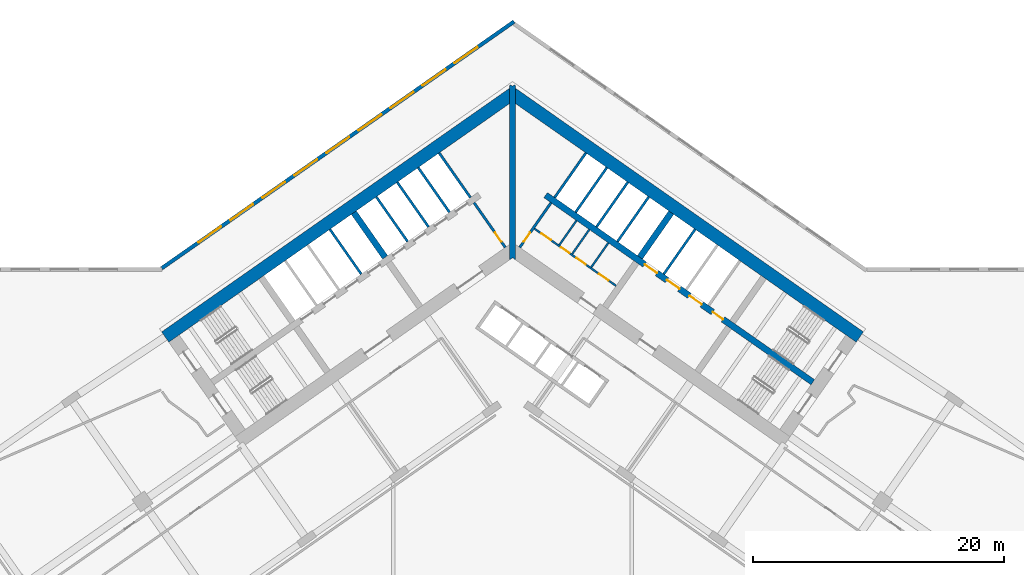
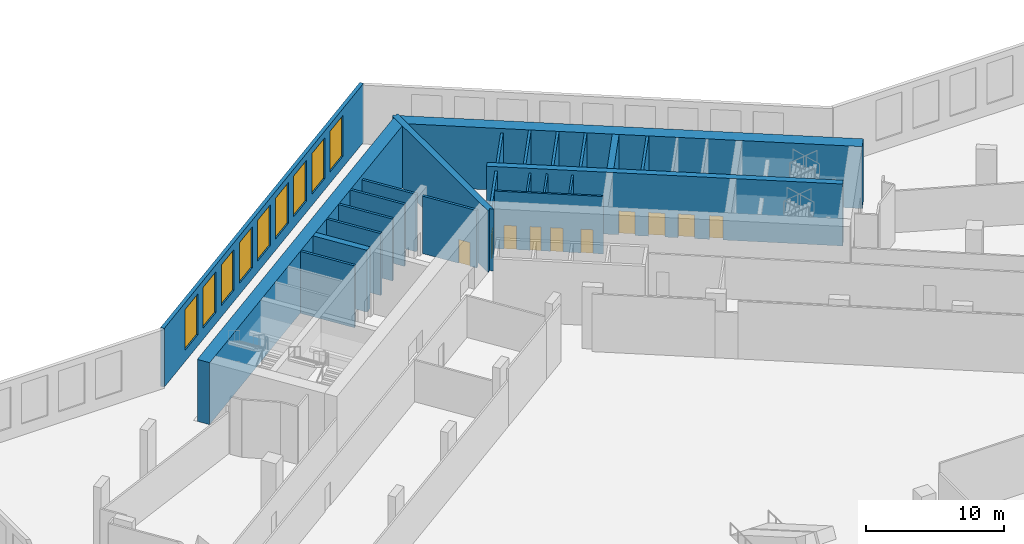
# One storey, part 11 of 26: 23 walls, 10 doors, 9 windows, 19 openings.
"""IFC4 building model written with IfcOpenShell, lengths in metres."""

from ifc_helpers import new_model, si_unit, direction, frame, frame_2d, origin, place, context, subcontext, project, spatial, polyline, rectangle, outline, extrude, material, layer, layer_set, type_object, element, fill, save


model = new_model("IFC4")

# Units and contexts
model_context = context("Model", 3, precision=1e-05, world=origin(), true_north=direction((0.0, 1.0)))
body_context = subcontext(model_context, "Body", "Model", "MODEL_VIEW")
ifc_project = project(units=[si_unit("LENGTHUNIT", "METRE"), si_unit("AREAUNIT", "SQUARE_METRE"), si_unit("VOLUMEUNIT", "CUBIC_METRE"), si_unit("PLANEANGLEUNIT", "RADIAN"), si_unit("MASSUNIT", "GRAM", prefix="KILO")], contexts=[model_context])

# Site, building, storey
site_placement = place(None, origin())
site = spatial("IfcSite", under=ifc_project, at=site_placement, CompositionType="ELEMENT")
building_placement = place(site_placement, origin())
building = spatial("IfcBuilding", under=site, at=building_placement, Name="Tel Ilan Convention Tower", CompositionType="ELEMENT")
storey_placement = place(building_placement, frame((0.0, 0.0, 37.5)))
storey = spatial("IfcBuildingStorey", under=building, at=storey_placement, Name="L05", CompositionType="ELEMENT", Elevation=37.5)

# Wall, openings, doors
ifc_material_1 = material(Name="Gypsum Plasterboard on Steel Stud", Category="steel")
ifc_layer_1 = layer(ifc_material_1, 0.14990234375)
ifc_layer_set_1 = layer_set([ifc_layer_1], Name="Core Room Partition Wall 150 mm EI 60")
wall_type_1 = type_object("IfcWallType", Name="Core Room Partition Wall 150 mm EI 60", PredefinedType="PARTITIONING", material=ifc_layer_set_1)
wall_1_placement = place(storey_placement, frame((1.7451171875, 1.097412109375, 0.0), z_axis=(0.0, 0.0, 1.0), x_axis=(0.819156890572, -0.573569515079, 0.0)))
wall_1 = element("IfcWall", 1, at=wall_1_placement, inside=storey, type_object=wall_type_1, Name="L05 core wall wc-h1", PredefinedType="PARTITIONING", context=body_context, shape_type="SweptSolid", body=[
    extrude(rectangle(XDim=7.949951171875, YDim=0.14990234375, at=frame_2d((3.97509765625, 0.0))), origin(), (0.0, 0.0, 1.0), 5.10009765625),
])
opening_1_placement = place(wall_1_placement, frame((0.699951171875, 0.0, 0.0)))
opening_1 = element("IfcOpeningElement", 2, at=opening_1_placement, cuts=wall_1, Name="Opening CD0810", PredefinedType="OPENING", context=body_context, shape_type="SweptSolid", body=[
    extrude(rectangle(XDim=0.89990234375, YDim=2.10009765625, at=frame_2d((0.449951171875, 1.050048828125))), frame((0.0, 0.0849609375, 0.0), z_axis=(0.0, -1.0, 0.0), x_axis=(1.0, 0.0, 0.0)), (0.0, 0.0, 1.0), 0.169921875),
])
opening_2_placement = place(wall_1_placement, frame((2.60009765625, 0.0, 0.0)))
opening_2 = element("IfcOpeningElement", 3, at=opening_2_placement, cuts=wall_1, Name="Opening CD0809", PredefinedType="OPENING", context=body_context, shape_type="SweptSolid", body=[
    extrude(rectangle(XDim=0.800048828125, YDim=2.10009765625, at=frame_2d((0.39990234375, 1.050048828125))), frame((0.0, 0.0849609375, 0.0), z_axis=(0.0, -1.0, 0.0), x_axis=(1.0, 0.0, 0.0)), (0.0, 0.0, 1.0), 0.169921875),
])
opening_3_placement = place(wall_1_placement, frame((4.10009765625, 0.0, 0.0)))
opening_3 = element("IfcOpeningElement", 4, at=opening_3_placement, cuts=wall_1, Name="Opening CD0808", PredefinedType="OPENING", context=body_context, shape_type="SweptSolid", body=[
    extrude(rectangle(XDim=0.89990234375, YDim=2.10009765625, at=frame_2d((0.449951171875, 1.050048828125))), frame((0.0, 0.0849609375, 0.0), z_axis=(0.0, -1.0, 0.0), x_axis=(1.0, 0.0, 0.0)), (0.0, 0.0, 1.0), 0.169921875),
])
opening_4_placement = place(wall_1_placement, frame((6.300048828125, 0.0, 0.0)))
opening_4 = element("IfcOpeningElement", 5, at=opening_4_placement, cuts=wall_1, Name="Opening CD0811", PredefinedType="OPENING", context=body_context, shape_type="SweptSolid", body=[
    extrude(rectangle(XDim=0.89990234375, YDim=2.10009765625, at=frame_2d((0.449951171875, 1.050048828125))), frame((0.0, 0.0849609375, 0.0), z_axis=(0.0, -1.0, 0.0), x_axis=(1.0, 0.0, 0.0)), (0.0, 0.0, 1.0), 0.169921875),
])
ifc_material_2 = material(Name="Galvanised Steel Door Leaf", Category="steel")
door_type_1 = type_object("IfcDoorType", Name="Store Door 800 x 2100 FD60", OperationType="NOTDEFINED", PredefinedType="DOOR", material=ifc_material_2)
door_1_placement = place(opening_2_placement, origin())
door_1 = element("IfcDoor", 6, at=door_1_placement, inside=storey, type_object=door_type_1, Name="Cleaner's store door", OperationType="SINGLE_SWING_RIGHT", OverallHeight=2.10009765625, OverallWidth=0.800048828125, PredefinedType="DOOR", context=body_context, shape_type="SweptSolid", body=[
    extrude(rectangle(XDim=0.800048828125, YDim=2.10009765625, at=frame_2d((0.39990234375, 1.050048828125))), frame((0.0, 0.02490234375, 0.0), z_axis=(0.0, -1.0, 0.0), x_axis=(1.0, 0.0, 0.0)), (0.0, 0.0, 1.0), 0.050048828125),
])
fill(opening_2, door_1)
ifc_material_3 = material(Name="Laminated Timber Door Leaf", Category="wood")
door_type_2 = type_object("IfcDoorType", Name="Toilet Door 900 x 2100 FD30S", OperationType="NOTDEFINED", PredefinedType="DOOR", material=ifc_material_3)
door_2_placement = place(opening_1_placement, origin())
door_2 = element("IfcDoor", 7, at=door_2_placement, inside=storey, type_object=door_type_2, Name="Men's WC door", OperationType="SINGLE_SWING_RIGHT", OverallHeight=2.10009765625, OverallWidth=0.89990234375, PredefinedType="DOOR", context=body_context, shape_type="SweptSolid", body=[
    extrude(rectangle(XDim=0.89990234375, YDim=2.10009765625, at=frame_2d((0.449951171875, 1.050048828125))), frame((0.0, 0.02490234375, 0.0), z_axis=(0.0, -1.0, 0.0), x_axis=(1.0, 0.0, 0.0)), (0.0, 0.0, 1.0), 0.050048828125),
])
fill(opening_1, door_2)
door_3_placement = place(opening_3_placement, origin())
door_3 = element("IfcDoor", 8, at=door_3_placement, inside=storey, type_object=door_type_2, Name="Accessible WC door", OperationType="SINGLE_SWING_RIGHT", OverallHeight=2.10009765625, OverallWidth=0.89990234375, PredefinedType="DOOR", context=body_context, shape_type="SweptSolid", body=[
    extrude(rectangle(XDim=0.89990234375, YDim=2.10009765625, at=frame_2d((0.449951171875, 1.050048828125))), frame((0.0, 0.02490234375, 0.0), z_axis=(0.0, -1.0, 0.0), x_axis=(1.0, 0.0, 0.0)), (0.0, 0.0, 1.0), 0.050048828125),
])
fill(opening_3, door_3)
door_4_placement = place(opening_4_placement, origin())
door_4 = element("IfcDoor", 9, at=door_4_placement, inside=storey, type_object=door_type_2, Name="Women's WC door", OperationType="SINGLE_SWING_RIGHT", OverallHeight=2.10009765625, OverallWidth=0.89990234375, PredefinedType="DOOR", context=body_context, shape_type="SweptSolid", body=[
    extrude(rectangle(XDim=0.89990234375, YDim=2.10009765625, at=frame_2d((0.449951171875, 1.050048828125))), frame((0.0, 0.02490234375, 0.0), z_axis=(0.0, -1.0, 0.0), x_axis=(1.0, 0.0, 0.0)), (0.0, 0.0, 1.0), 0.050048828125),
])
fill(opening_4, door_4)

# Walls
for number, where, z_axis, x_axis, name in (
    (10, (3.733642578125, -0.203369140625, 0.0), (0.0, 0.0, 1.0), (0.573579618003, 0.819149816463, 0.0), "L05 core wall wc-v0"),
    (11, (4.757568359375, -0.92041015625, 0.0), (0.0, 0.0, 1.0), (0.573579618003, 0.819149816463, 0.0), "L05 core wall wc-v1"),
    (12, (6.27294921875, -1.9814453125, 0.0), (0.0, 0.0, 1.0), (0.573579618003, 0.819149816463, 0.0), "L05 core wall wc-v2"),
):
    element("IfcWall", number, at=place(storey_placement, frame(where, z_axis=z_axis, x_axis=x_axis)), inside=storey, type_object=wall_type_1, Name=name, PredefinedType="PARTITIONING", context=body_context, shape_type="SweptSolid", body=[
        extrude(rectangle(XDim=2.375, YDim=0.14990234375, at=frame_2d((1.1875, 0.0))), origin(), (0.0, 0.0, 1.0), 5.10009765625),
    ])

# Wall, opening, door
ifc_material_4 = material(Name="Concrete C30/37", Category="concrete")
ifc_layer_2 = layer(ifc_material_4, 0.199951171875)
ifc_layer_set_2 = layer_set([ifc_layer_2], Name="Core Service Room Wall 200 mm C30/37")
wall_type_2 = type_object("IfcWallType", Name="Core Service Room Wall 200 mm C30/37", PredefinedType="SOLIDWALL", material=ifc_layer_set_2)
wall_2_placement = place(storey_placement, frame((-0.573486328125, -0.401611328125, 0.0), z_axis=(0.0, 0.0, 1.0), x_axis=(-0.57356780395, 0.819158088694, 0.0)))
wall_2 = element("IfcWall", 13, at=wall_2_placement, inside=storey, type_object=wall_type_2, Name="L05 core wall apex-W", PredefinedType="SOLIDWALL", context=body_context, shape_type="SweptSolid", body=[
    extrude(rectangle(XDim=4.35009765625, YDim=0.199951171875, at=frame_2d((2.175048828125, 0.0))), origin(), (0.0, 0.0, 1.0), 5.10009765625),
])
opening_5_placement = place(wall_2_placement, frame((0.550048828125, 0.0, 0.0)))
opening_5 = element("IfcOpeningElement", 14, at=opening_5_placement, cuts=wall_2, Name="Opening CD0802", PredefinedType="OPENING", context=body_context, shape_type="SweptSolid", body=[
    extrude(rectangle(XDim=0.89990234375, YDim=2.10009765625, at=frame_2d((0.449951171875, 1.050048828125))), frame((0.0, 0.10986328125, 0.0), z_axis=(0.0, -1.0, 0.0), x_axis=(1.0, 0.0, 0.0)), (0.0, 0.0, 1.0), 0.219970703125),
])
ifc_material_5 = material(Name="Galvanised Steel Door Leaf", Category="steel")
door_type_3 = type_object("IfcDoorType", Name="Service Room Door 900 x 2100 FD60", OperationType="NOTDEFINED", PredefinedType="DOOR", material=ifc_material_5)
door_5_placement = place(opening_5_placement, origin())
door_5 = element("IfcDoor", 15, at=door_5_placement, inside=storey, type_object=door_type_3, Name="Riser Room door", OperationType="SINGLE_SWING_RIGHT", OverallHeight=2.10009765625, OverallWidth=0.89990234375, PredefinedType="DOOR", context=body_context, shape_type="SweptSolid", body=[
    extrude(rectangle(XDim=0.89990234375, YDim=2.10009765625, at=frame_2d((0.449951171875, 1.050048828125))), frame((0.0, 0.02490234375, 0.0), z_axis=(0.0, -1.0, 0.0), x_axis=(1.0, 0.0, 0.0)), (0.0, 0.0, 1.0), 0.050048828125),
])
fill(opening_5, door_5)

# Wall
wall_3_placement = place(storey_placement, frame((-3.355224609375, 3.5712890625, 0.0), z_axis=(0.0, 0.0, 1.0), x_axis=(-0.57356780395, 0.819158088694, 0.0)))
element("IfcWall", 16, at=wall_3_placement, inside=storey, type_object=wall_type_2, Name="L05 core wall apex-W-b", PredefinedType="SOLIDWALL", context=body_context, shape_type="SweptSolid", body=[
    extrude(rectangle(XDim=4.35009765625, YDim=0.199951171875, at=frame_2d((2.175048828125, 0.0))), origin(), (0.0, 0.0, 1.0), 5.10009765625),
])

# Wall, opening, door
wall_4_placement = place(storey_placement, frame((0.573486328125, -0.401611328125, 0.0), z_axis=(0.0, 0.0, 1.0), x_axis=(0.57356780395, 0.819158088694, 0.0)))
wall_4 = element("IfcWall", 17, at=wall_4_placement, inside=storey, type_object=wall_type_2, Name="L05 core wall apex-E", PredefinedType="SOLIDWALL", context=body_context, shape_type="SweptSolid", body=[
    extrude(rectangle(XDim=4.35009765625, YDim=0.199951171875, at=frame_2d((2.175048828125, 0.0))), origin(), (0.0, 0.0, 1.0), 5.10009765625),
])
opening_6_placement = place(wall_4_placement, frame((0.550048828125, 0.0, 0.0)))
opening_6 = element("IfcOpeningElement", 18, at=opening_6_placement, cuts=wall_4, Name="Opening CD0801", PredefinedType="OPENING", context=body_context, shape_type="SweptSolid", body=[
    extrude(rectangle(XDim=0.89990234375, YDim=2.10009765625, at=frame_2d((0.449951171875, 1.050048828125))), frame((0.0, 0.10986328125, 0.0), z_axis=(0.0, -1.0, 0.0), x_axis=(1.0, 0.0, 0.0)), (0.0, 0.0, 1.0), 0.219970703125),
])
door_6_placement = place(opening_6_placement, origin())
door_6 = element("IfcDoor", 19, at=door_6_placement, inside=storey, type_object=door_type_3, Name="Electrical Room door", OperationType="SINGLE_SWING_RIGHT", OverallHeight=2.10009765625, OverallWidth=0.89990234375, PredefinedType="DOOR", context=body_context, shape_type="SweptSolid", body=[
    extrude(rectangle(XDim=0.89990234375, YDim=2.10009765625, at=frame_2d((0.449951171875, 1.050048828125))), frame((0.0, 0.02490234375, 0.0), z_axis=(0.0, -1.0, 0.0), x_axis=(1.0, 0.0, 0.0)), (0.0, 0.0, 1.0), 0.050048828125),
])
fill(opening_6, door_6)

# Walls
wall_5_placement = place(storey_placement, frame((3.355224609375, 3.5712890625, 0.0), z_axis=(0.0, 0.0, 1.0), x_axis=(0.57356780395, 0.819158088694, 0.0)))
element("IfcWall", 20, at=wall_5_placement, inside=storey, type_object=wall_type_2, Name="L05 core wall apex-E-b", PredefinedType="SOLIDWALL", context=body_context, shape_type="SweptSolid", body=[
    extrude(rectangle(XDim=4.35009765625, YDim=0.199951171875, at=frame_2d((2.175048828125, 0.0))), origin(), (0.0, 0.0, 1.0), 5.10009765625),
])
ifc_material_6 = material(Name="Concrete C60/75", Category="concrete")
ifc_layer_3 = layer(ifc_material_6, 1.0)
ifc_layer_set_3 = layer_set([ifc_layer_3], Name="Core Shear Wall 1000 mm C60/75")
wall_type_3 = type_object("IfcWallType", Name="Core Shear Wall 1000 mm C60/75", PredefinedType="SHEAR", material=ifc_layer_set_3)
wall_6_placement = place(storey_placement, frame((0.036865234375, 11.8671875, 0.0), z_axis=(0.0, 0.0, 1.0), x_axis=(-0.819155306259, -0.573571777746, 0.0)))
element("IfcWall", 21, at=wall_6_placement, inside=storey, type_object=wall_type_3, Name="L05 core wall W-back", PredefinedType="SHEAR", context=body_context, shape_type="SweptSolid", body=[
    extrude(outline(polyline([(33.8369140625, 0.5), (0.7001953125, 0.499755859375), (0.0, -0.5), (33.8369140625, -0.5), (33.8369140625, 0.5)])), origin(), (0.0, 0.0, 1.0), 5.5),
])
wall_7_placement = place(storey_placement, frame((-0.036865234375, 11.8671875, 0.0), z_axis=(0.0, 0.0, 1.0), x_axis=(0.819155306259, -0.573571777746, 0.0)))
element("IfcWall", 22, at=wall_7_placement, inside=storey, type_object=wall_type_3, Name="L05 core wall E-back", PredefinedType="SHEAR", context=body_context, shape_type="SweptSolid", body=[
    extrude(outline(polyline([(33.8369140625, 0.5), (0.0, 0.5), (0.7001953125, -0.499755859375), (33.8369140625, -0.5), (33.8369140625, 0.5)])), origin(), (0.0, 0.0, 1.0), 5.5),
])
ifc_material_7 = material(Name="Concrete C60/75", Category="concrete")
ifc_layer_4 = layer(ifc_material_7, 0.5)
ifc_layer_set_4 = layer_set([ifc_layer_4], Name="Core Shear Wall 500 mm C60/75")
wall_type_4 = type_object("IfcWallType", Name="Core Shear Wall 500 mm C60/75", PredefinedType="SHEAR", material=ifc_layer_set_4)
for number, where, z_axis, x_axis, name in (
    (23, (-10.154296875, -1.189208984375, 0.0), (0.0, 0.0, 1.0), (-0.573594173421, 0.819139624372, 0.0), "L05 core wall W-cross1-2"),
    (24, (10.154296875, -1.189208984375, 0.0), (0.0, 0.0, 1.0), (0.573594173421, 0.819139624372, 0.0), "L05 core wall E-cross1-2"),
):
    element("IfcWall", number, at=place(storey_placement, frame(where, z_axis=z_axis, x_axis=x_axis)), inside=storey, type_object=wall_type_4, Name=name, PredefinedType="SHEAR", context=body_context, shape_type="SweptSolid", body=[
        extrude(outline(polyline([(4.349853515625, -0.25), (4.349853515625, 0.25), (-0.000244140625, 0.25), (-0.000244140625, -0.25), (4.349853515625, -0.25)])), origin(), (0.0, 0.0, 1.0), 5.5),
    ])

# Wall, openings, doors
wall_8_placement = place(storey_placement, frame((2.638427734375, 3.76806640625, 0.0), z_axis=(0.0, 0.0, 1.0), x_axis=(0.819148977158, -0.573580816643, 0.0)))
wall_8 = element("IfcWall", 25, at=wall_8_placement, inside=storey, type_object=wall_type_4, Name="L05 core wall E-spine", PredefinedType="SHEAR", context=body_context, shape_type="SweptSolid", body=[
    extrude(outline(polyline([(0.0, 0.25), (0.0, -0.25), (26.0, -0.249755859375), (26.0, 0.250244140625), (0.0, 0.25)])), origin(), (0.0, 0.0, 1.0), 5.5),
])
opening_7_placement = place(wall_8_placement, frame((9.637451171875, 0.0, 0.0)))
opening_7 = element("IfcOpeningElement", 26, at=opening_7_placement, cuts=wall_8, Name="Opening LD0801", PredefinedType="OPENING", context=body_context, shape_type="SweptSolid", body=[
    extrude(rectangle(XDim=1.199951171875, YDim=2.10009765625, at=frame_2d((0.60009765625, 1.050048828125))), frame((0.0, 0.260009765625, 0.0), z_axis=(0.0, -1.0, 0.0), x_axis=(1.0, 0.0, 0.0)), (0.0, 0.0, 1.0), 0.52001953125),
])
opening_8_placement = place(wall_8_placement, frame((11.8125, 0.0, 0.0)))
opening_8 = element("IfcOpeningElement", 27, at=opening_8_placement, cuts=wall_8, Name="Opening LD0802", PredefinedType="OPENING", context=body_context, shape_type="SweptSolid", body=[
    extrude(rectangle(XDim=1.199951171875, YDim=2.10009765625, at=frame_2d((0.60009765625, 1.050048828125))), frame((0.0, 0.260009765625, 0.0), z_axis=(0.0, -1.0, 0.0), x_axis=(1.0, 0.0, 0.0)), (0.0, 0.0, 1.0), 0.52001953125),
])
opening_9_placement = place(wall_8_placement, frame((13.987548828125, 0.0, 0.0)))
opening_9 = element("IfcOpeningElement", 28, at=opening_9_placement, cuts=wall_8, Name="Opening LD0803", PredefinedType="OPENING", context=body_context, shape_type="SweptSolid", body=[
    extrude(rectangle(XDim=1.199951171875, YDim=2.10009765625, at=frame_2d((0.60009765625, 1.050048828125))), frame((0.0, 0.260009765625, 0.0), z_axis=(0.0, -1.0, 0.0), x_axis=(1.0, 0.0, 0.0)), (0.0, 0.0, 1.0), 0.52001953125),
])
opening_10_placement = place(wall_8_placement, frame((16.262451171875, 0.0, 0.0)))
opening_10 = element("IfcOpeningElement", 29, at=opening_10_placement, cuts=wall_8, Name="Opening CD0807", PredefinedType="OPENING", context=body_context, shape_type="SweptSolid", body=[
    extrude(rectangle(XDim=1.0, YDim=2.10009765625, at=frame_2d((0.5, 1.050048828125))), frame((0.0, 0.260009765625, 0.0), z_axis=(0.0, -1.0, 0.0), x_axis=(1.0, 0.0, 0.0)), (0.0, 0.0, 1.0), 0.52001953125),
])
ifc_material_8 = material(Name="Stainless Steel Sliding Door Leaf", Category="steel")
door_type_4 = type_object("IfcDoorType", Name="Lift Landing Door 1200 x 2100 FD120", OperationType="NOTDEFINED", PredefinedType="DOOR", material=ifc_material_8)
door_7_placement = place(opening_7_placement, origin())
door_7 = element("IfcDoor", 30, at=door_7_placement, inside=storey, type_object=door_type_4, Name="Lift FL1 landing door", OperationType="SLIDING_TO_LEFT", OverallHeight=2.10009765625, OverallWidth=1.199951171875, PredefinedType="DOOR", context=body_context, shape_type="SweptSolid", body=[
    extrude(rectangle(XDim=1.199951171875, YDim=2.10009765625, at=frame_2d((0.60009765625, 1.050048828125))), frame((0.0, 0.02490234375, 0.0), z_axis=(0.0, -1.0, 0.0), x_axis=(1.0, 0.0, 0.0)), (0.0, 0.0, 1.0), 0.050048828125),
])
fill(opening_7, door_7)
door_8_placement = place(opening_8_placement, origin())
door_8 = element("IfcDoor", 31, at=door_8_placement, inside=storey, type_object=door_type_4, Name="Lift FL2 landing door", OperationType="SLIDING_TO_RIGHT", OverallHeight=2.10009765625, OverallWidth=1.199951171875, PredefinedType="DOOR", context=body_context, shape_type="SweptSolid", body=[
    extrude(rectangle(XDim=1.199951171875, YDim=2.10009765625, at=frame_2d((0.60009765625, 1.050048828125))), frame((0.0, 0.02490234375, 0.0), z_axis=(0.0, -1.0, 0.0), x_axis=(1.0, 0.0, 0.0)), (0.0, 0.0, 1.0), 0.050048828125),
])
fill(opening_8, door_8)
door_9_placement = place(opening_9_placement, origin())
door_9 = element("IfcDoor", 32, at=door_9_placement, inside=storey, type_object=door_type_4, Name="Lift FL3 landing door", OperationType="SLIDING_TO_LEFT", OverallHeight=2.10009765625, OverallWidth=1.199951171875, PredefinedType="DOOR", context=body_context, shape_type="SweptSolid", body=[
    extrude(rectangle(XDim=1.199951171875, YDim=2.10009765625, at=frame_2d((0.60009765625, 1.050048828125))), frame((0.0, 0.02490234375, 0.0), z_axis=(0.0, -1.0, 0.0), x_axis=(1.0, 0.0, 0.0)), (0.0, 0.0, 1.0), 0.050048828125),
])
fill(opening_9, door_9)
ifc_material_9 = material(Name="Galvanised Steel Door Leaf", Category="steel")
door_type_5 = type_object("IfcDoorType", Name="Service Room Door 1000 x 2100 FD60", OperationType="NOTDEFINED", PredefinedType="DOOR", material=ifc_material_9)
door_10_placement = place(opening_10_placement, origin())
door_10 = element("IfcDoor", 33, at=door_10_placement, inside=storey, type_object=door_type_5, Name="Plant Room door", OperationType="SINGLE_SWING_RIGHT", OverallHeight=2.10009765625, OverallWidth=1.0, PredefinedType="DOOR", context=body_context, shape_type="SweptSolid", body=[
    extrude(rectangle(XDim=1.0, YDim=2.10009765625, at=frame_2d((0.5, 1.050048828125))), frame((0.0, 0.02490234375, 0.0), z_axis=(0.0, -1.0, 0.0), x_axis=(1.0, 0.0, 0.0)), (0.0, 0.0, 1.0), 0.050048828125),
])
fill(opening_10, door_10)

# Walls
wall_9_placement = place(storey_placement, frame((0.0, -1.395751953125, 0.0), z_axis=(0.0, 0.0, 1.0), x_axis=(0.0, 1.0, 0.0)))
element("IfcWall", 34, at=wall_9_placement, inside=storey, type_object=wall_type_4, Name="L05 core wall K-central", PredefinedType="SHEAR", context=body_context, shape_type="SweptSolid", body=[
    extrude(outline(polyline([(0.0, -0.25), (0.175048828125, -0.25), (1.220703125, -0.25), (12.451904296875, -0.25), (13.84765625, -0.25), (13.85693359375, -0.25), (13.96826171875, -0.172119140625), (13.84765625, 0.0), (13.96826171875, 0.172119140625), (13.85693359375, 0.25), (13.84765625, 0.25), (12.451904296875, 0.25), (1.220703125, 0.25), (0.175048828125, 0.25), (0.0, 0.25), (0.175048828125, 0.0), (0.0, -0.25)])), origin(), (0.0, 0.0, 1.0), 5.5),
])
ifc_material_10 = material(Name="Concrete C30/37", Category="concrete")
ifc_layer_5 = layer(ifc_material_10, 0.199951171875)
ifc_layer_set_5 = layer_set([ifc_layer_5], Name="Lift Shaft Wall 200 mm C30/37")
wall_type_5 = type_object("IfcWallType", Name="Lift Shaft Wall 200 mm C30/37", PredefinedType="SOLIDWALL", material=ifc_layer_set_5)
wall_10_placement = place(storey_placement, frame((-5.0244140625, 2.402587890625, 0.0), z_axis=(0.0, 0.0, 1.0), x_axis=(-0.573530143085, 0.819184457233, 0.0)))
element("IfcWall", 35, at=wall_10_placement, inside=storey, type_object=wall_type_5, Name="L05 core wall bank-W1-p0", PredefinedType="SOLIDWALL", context=body_context, shape_type="SweptSolid", body=[
    extrude(rectangle(XDim=4.35009765625, YDim=0.199951171875, at=frame_2d((2.175048828125, 0.0))), origin(), (0.0, 0.0, 1.0), 5.5),
])
for number, where, z_axis, x_axis, name in (
    (36, (-6.693359375, 1.234130859375, 0.0), (0.0, 0.0, 1.0), (-0.573594173421, 0.819139624372, 0.0), "L05 core wall bank-W1-p1"),
    (37, (-8.3623046875, 0.0654296875, 0.0), (0.0, 0.0, 1.0), (-0.573594173421, 0.819139624372, 0.0), "L05 core wall bank-W1-p2"),
    (38, (-12.05859375, -2.52294921875, 0.0), (0.0, 0.0, 1.0), (-0.573594173421, 0.819139624372, 0.0), "L05 core wall bank-W2-p0"),
):
    element("IfcWall", number, at=place(storey_placement, frame(where, z_axis=z_axis, x_axis=x_axis)), inside=storey, type_object=wall_type_5, Name=name, PredefinedType="SOLIDWALL", context=body_context, shape_type="SweptSolid", body=[
        extrude(rectangle(XDim=4.349853515625, YDim=0.199951171875, at=frame_2d((2.1748046875, 0.0))), origin(), (0.0, 0.0, 1.0), 5.5),
    ])
wall_11_placement = place(storey_placement, frame((5.0244140625, 2.402587890625, 0.0), z_axis=(0.0, 0.0, 1.0), x_axis=(0.573530143085, 0.819184457233, 0.0)))
element("IfcWall", 39, at=wall_11_placement, inside=storey, type_object=wall_type_5, Name="L05 core wall bank-E1-p0", PredefinedType="SOLIDWALL", context=body_context, shape_type="SweptSolid", body=[
    extrude(rectangle(XDim=4.35009765625, YDim=0.199951171875, at=frame_2d((2.175048828125, 0.0))), origin(), (0.0, 0.0, 1.0), 5.5),
])
for number, where, z_axis, x_axis, name in (
    (40, (6.693359375, 1.234130859375, 0.0), (0.0, 0.0, 1.0), (0.573594173421, 0.819139624372, 0.0), "L05 core wall bank-E1-p1"),
    (41, (8.3623046875, 0.0654296875, 0.0), (0.0, 0.0, 1.0), (0.573594173421, 0.819139624372, 0.0), "L05 core wall bank-E1-p2"),
    (42, (12.05859375, -2.52294921875, 0.0), (0.0, 0.0, 1.0), (0.573594173421, 0.819139624372, 0.0), "L05 core wall bank-E2-p0"),
):
    element("IfcWall", number, at=place(storey_placement, frame(where, z_axis=z_axis, x_axis=x_axis)), inside=storey, type_object=wall_type_5, Name=name, PredefinedType="SOLIDWALL", context=body_context, shape_type="SweptSolid", body=[
        extrude(rectangle(XDim=4.349853515625, YDim=0.199951171875, at=frame_2d((2.1748046875, 0.0))), origin(), (0.0, 0.0, 1.0), 5.5),
    ])

# Wall, openings, windows
ifc_material_11 = material(Name="Bronze aluminium cladding panel on insulated steel frame", Category="steel")
ifc_layer_6 = layer(ifc_material_11, 0.300048828125)
ifc_layer_set_6 = layer_set([ifc_layer_6], Name="PODIUM CLADDING WALL 300")
wall_type_6 = type_object("IfcWallType", Name="PODIUM CLADDING WALL 300", PredefinedType="SOLIDWALL", material=ifc_layer_set_6)
wall_12_placement = place(storey_placement, frame((-27.966064453125, -2.06396484375, 0.0), z_axis=(0.0, 0.0, 1.0), x_axis=(0.819149627982, 0.57357988718, 0.0)))
wall_12 = element("IfcWall", 43, at=wall_12_placement, inside=storey, type_object=wall_type_6, Name="Podium cladding wall", PredefinedType="SOLIDWALL", context=body_context, shape_type="SweptSolid", body=[
    extrude(rectangle(XDim=34.290283203125, YDim=0.300048828125, at=frame_2d((17.14501953125, 0.0))), origin(), (0.0, 0.0, 1.0), 5.219970703125),
])
opening_11_placement = place(wall_12_placement, frame((3.5673828125, 0.0, 1.0)))
opening_11 = element("IfcOpeningElement", 44, at=opening_11_placement, cuts=wall_12, Name="Opening W-08.031", PredefinedType="OPENING", context=body_context, shape_type="SweptSolid", body=[
    extrude(rectangle(XDim=2.21728515625, YDim=3.6201171875, at=frame_2d((1.108642578125, 1.81005859375))), frame((0.0, 0.159912109375, 0.0), z_axis=(0.0, -1.0, 0.0), x_axis=(1.0, 0.0, 0.0)), (0.0, 0.0, 1.0), 0.320068359375),
])
opening_12_placement = place(wall_12_placement, frame((6.6845703125, 0.0, 1.0)))
opening_12 = element("IfcOpeningElement", 45, at=opening_12_placement, cuts=wall_12, Name="Opening W-08.032", PredefinedType="OPENING", context=body_context, shape_type="SweptSolid", body=[
    extrude(rectangle(XDim=2.21728515625, YDim=3.6201171875, at=frame_2d((1.108642578125, 1.81005859375))), frame((0.0, 0.159912109375, 0.0), z_axis=(0.0, -1.0, 0.0), x_axis=(1.0, 0.0, 0.0)), (0.0, 0.0, 1.0), 0.320068359375),
])
opening_13_placement = place(wall_12_placement, frame((9.802001953125, 0.0, 1.0)))
opening_13 = element("IfcOpeningElement", 46, at=opening_13_placement, cuts=wall_12, Name="Opening W-08.033", PredefinedType="OPENING", context=body_context, shape_type="SweptSolid", body=[
    extrude(rectangle(XDim=2.21728515625, YDim=3.6201171875, at=frame_2d((1.108642578125, 1.81005859375))), frame((0.0, 0.159912109375, 0.0), z_axis=(0.0, -1.0, 0.0), x_axis=(1.0, 0.0, 0.0)), (0.0, 0.0, 1.0), 0.320068359375),
])
opening_14_placement = place(wall_12_placement, frame((12.919189453125, 0.0, 1.0)))
opening_14 = element("IfcOpeningElement", 47, at=opening_14_placement, cuts=wall_12, Name="Opening W-08.034", PredefinedType="OPENING", context=body_context, shape_type="SweptSolid", body=[
    extrude(rectangle(XDim=2.21728515625, YDim=3.6201171875, at=frame_2d((1.108642578125, 1.81005859375))), frame((0.0, 0.159912109375, 0.0), z_axis=(0.0, -1.0, 0.0), x_axis=(1.0, 0.0, 0.0)), (0.0, 0.0, 1.0), 0.320068359375),
])
opening_15_placement = place(wall_12_placement, frame((16.03662109375, 0.0, 1.0)))
opening_15 = element("IfcOpeningElement", 48, at=opening_15_placement, cuts=wall_12, Name="Opening W-08.035", PredefinedType="OPENING", context=body_context, shape_type="SweptSolid", body=[
    extrude(rectangle(XDim=2.21728515625, YDim=3.6201171875, at=frame_2d((1.108642578125, 1.81005859375))), frame((0.0, 0.159912109375, 0.0), z_axis=(0.0, -1.0, 0.0), x_axis=(1.0, 0.0, 0.0)), (0.0, 0.0, 1.0), 0.320068359375),
])
opening_16_placement = place(wall_12_placement, frame((19.15380859375, 0.0, 1.0)))
opening_16 = element("IfcOpeningElement", 49, at=opening_16_placement, cuts=wall_12, Name="Opening W-08.036", PredefinedType="OPENING", context=body_context, shape_type="SweptSolid", body=[
    extrude(rectangle(XDim=2.21728515625, YDim=3.6201171875, at=frame_2d((1.108642578125, 1.81005859375))), frame((0.0, 0.159912109375, 0.0), z_axis=(0.0, -1.0, 0.0), x_axis=(1.0, 0.0, 0.0)), (0.0, 0.0, 1.0), 0.320068359375),
])
opening_17_placement = place(wall_12_placement, frame((22.27099609375, 0.0, 1.0)))
opening_17 = element("IfcOpeningElement", 50, at=opening_17_placement, cuts=wall_12, Name="Opening W-08.037", PredefinedType="OPENING", context=body_context, shape_type="SweptSolid", body=[
    extrude(rectangle(XDim=2.21728515625, YDim=3.6201171875, at=frame_2d((1.108642578125, 1.81005859375))), frame((0.0, 0.159912109375, 0.0), z_axis=(0.0, -1.0, 0.0), x_axis=(1.0, 0.0, 0.0)), (0.0, 0.0, 1.0), 0.320068359375),
])
opening_18_placement = place(wall_12_placement, frame((25.388427734375, 0.0, 1.0)))
opening_18 = element("IfcOpeningElement", 51, at=opening_18_placement, cuts=wall_12, Name="Opening W-08.038", PredefinedType="OPENING", context=body_context, shape_type="SweptSolid", body=[
    extrude(rectangle(XDim=2.21728515625, YDim=3.6201171875, at=frame_2d((1.108642578125, 1.81005859375))), frame((0.0, 0.159912109375, 0.0), z_axis=(0.0, -1.0, 0.0), x_axis=(1.0, 0.0, 0.0)), (0.0, 0.0, 1.0), 0.320068359375),
])
opening_19_placement = place(wall_12_placement, frame((28.505615234375, 0.0, 1.0)))
opening_19 = element("IfcOpeningElement", 52, at=opening_19_placement, cuts=wall_12, Name="Opening W-08.039", PredefinedType="OPENING", context=body_context, shape_type="SweptSolid", body=[
    extrude(rectangle(XDim=2.21728515625, YDim=3.6201171875, at=frame_2d((1.108642578125, 1.81005859375))), frame((0.0, 0.159912109375, 0.0), z_axis=(0.0, -1.0, 0.0), x_axis=(1.0, 0.0, 0.0)), (0.0, 0.0, 1.0), 0.320068359375),
])
ifc_material_12 = material(Name="Aluminium framed glazing, bronze anodised, tinted glass", Category="aluminium")
window_type = type_object("IfcWindowType", Name="PODIUM WINDOW 2217x3620", PartitioningType="SINGLE_PANEL", PredefinedType="WINDOW", material=ifc_material_12)
window_1_placement = place(opening_11_placement, origin())
window_1 = element("IfcWindow", 53, at=window_1_placement, inside=storey, type_object=window_type, Name="Podium window", OverallHeight=3.6201171875, OverallWidth=2.21728515625, PartitioningType="SINGLE_PANEL", PredefinedType="WINDOW", context=body_context, shape_type="SweptSolid", body=[
    extrude(rectangle(XDim=2.21728515625, YDim=3.6201171875, at=frame_2d((1.108642578125, 1.81005859375))), frame((0.0, 0.030029296875, 0.0), z_axis=(0.0, -1.0, 0.0), x_axis=(1.0, 0.0, 0.0)), (0.0, 0.0, 1.0), 0.06005859375),
])
fill(opening_11, window_1)
window_2_placement = place(opening_12_placement, origin())
window_2 = element("IfcWindow", 54, at=window_2_placement, inside=storey, type_object=window_type, Name="Podium window", OverallHeight=3.6201171875, OverallWidth=2.21728515625, PartitioningType="SINGLE_PANEL", PredefinedType="WINDOW", context=body_context, shape_type="SweptSolid", body=[
    extrude(rectangle(XDim=2.21728515625, YDim=3.6201171875, at=frame_2d((1.108642578125, 1.81005859375))), frame((0.0, 0.030029296875, 0.0), z_axis=(0.0, -1.0, 0.0), x_axis=(1.0, 0.0, 0.0)), (0.0, 0.0, 1.0), 0.06005859375),
])
fill(opening_12, window_2)
window_3_placement = place(opening_13_placement, origin())
window_3 = element("IfcWindow", 55, at=window_3_placement, inside=storey, type_object=window_type, Name="Podium window", OverallHeight=3.6201171875, OverallWidth=2.21728515625, PartitioningType="SINGLE_PANEL", PredefinedType="WINDOW", context=body_context, shape_type="SweptSolid", body=[
    extrude(rectangle(XDim=2.21728515625, YDim=3.6201171875, at=frame_2d((1.108642578125, 1.81005859375))), frame((0.0, 0.030029296875, 0.0), z_axis=(0.0, -1.0, 0.0), x_axis=(1.0, 0.0, 0.0)), (0.0, 0.0, 1.0), 0.06005859375),
])
fill(opening_13, window_3)
window_4_placement = place(opening_14_placement, origin())
window_4 = element("IfcWindow", 56, at=window_4_placement, inside=storey, type_object=window_type, Name="Podium window", OverallHeight=3.6201171875, OverallWidth=2.21728515625, PartitioningType="SINGLE_PANEL", PredefinedType="WINDOW", context=body_context, shape_type="SweptSolid", body=[
    extrude(rectangle(XDim=2.21728515625, YDim=3.6201171875, at=frame_2d((1.108642578125, 1.81005859375))), frame((0.0, 0.030029296875, 0.0), z_axis=(0.0, -1.0, 0.0), x_axis=(1.0, 0.0, 0.0)), (0.0, 0.0, 1.0), 0.06005859375),
])
fill(opening_14, window_4)
window_5_placement = place(opening_15_placement, origin())
window_5 = element("IfcWindow", 57, at=window_5_placement, inside=storey, type_object=window_type, Name="Podium window", OverallHeight=3.6201171875, OverallWidth=2.21728515625, PartitioningType="SINGLE_PANEL", PredefinedType="WINDOW", context=body_context, shape_type="SweptSolid", body=[
    extrude(rectangle(XDim=2.21728515625, YDim=3.6201171875, at=frame_2d((1.108642578125, 1.81005859375))), frame((0.0, 0.030029296875, 0.0), z_axis=(0.0, -1.0, 0.0), x_axis=(1.0, 0.0, 0.0)), (0.0, 0.0, 1.0), 0.06005859375),
])
fill(opening_15, window_5)
window_6_placement = place(opening_16_placement, origin())
window_6 = element("IfcWindow", 58, at=window_6_placement, inside=storey, type_object=window_type, Name="Podium window", OverallHeight=3.6201171875, OverallWidth=2.21728515625, PartitioningType="SINGLE_PANEL", PredefinedType="WINDOW", context=body_context, shape_type="SweptSolid", body=[
    extrude(rectangle(XDim=2.21728515625, YDim=3.6201171875, at=frame_2d((1.108642578125, 1.81005859375))), frame((0.0, 0.030029296875, 0.0), z_axis=(0.0, -1.0, 0.0), x_axis=(1.0, 0.0, 0.0)), (0.0, 0.0, 1.0), 0.06005859375),
])
fill(opening_16, window_6)
window_7_placement = place(opening_17_placement, origin())
window_7 = element("IfcWindow", 59, at=window_7_placement, inside=storey, type_object=window_type, Name="Podium window", OverallHeight=3.6201171875, OverallWidth=2.21728515625, PartitioningType="SINGLE_PANEL", PredefinedType="WINDOW", context=body_context, shape_type="SweptSolid", body=[
    extrude(rectangle(XDim=2.21728515625, YDim=3.6201171875, at=frame_2d((1.108642578125, 1.81005859375))), frame((0.0, 0.030029296875, 0.0), z_axis=(0.0, -1.0, 0.0), x_axis=(1.0, 0.0, 0.0)), (0.0, 0.0, 1.0), 0.06005859375),
])
fill(opening_17, window_7)
window_8_placement = place(opening_18_placement, origin())
window_8 = element("IfcWindow", 60, at=window_8_placement, inside=storey, type_object=window_type, Name="Podium window", OverallHeight=3.6201171875, OverallWidth=2.21728515625, PartitioningType="SINGLE_PANEL", PredefinedType="WINDOW", context=body_context, shape_type="SweptSolid", body=[
    extrude(rectangle(XDim=2.21728515625, YDim=3.6201171875, at=frame_2d((1.108642578125, 1.81005859375))), frame((0.0, 0.030029296875, 0.0), z_axis=(0.0, -1.0, 0.0), x_axis=(1.0, 0.0, 0.0)), (0.0, 0.0, 1.0), 0.06005859375),
])
fill(opening_18, window_8)
window_9_placement = place(opening_19_placement, origin())
window_9 = element("IfcWindow", 61, at=window_9_placement, inside=storey, type_object=window_type, Name="Podium window", OverallHeight=3.6201171875, OverallWidth=2.21728515625, PartitioningType="SINGLE_PANEL", PredefinedType="WINDOW", context=body_context, shape_type="SweptSolid", body=[
    extrude(rectangle(XDim=2.21728515625, YDim=3.6201171875, at=frame_2d((1.108642578125, 1.81005859375))), frame((0.0, 0.030029296875, 0.0), z_axis=(0.0, -1.0, 0.0), x_axis=(1.0, 0.0, 0.0)), (0.0, 0.0, 1.0), 0.06005859375),
])
fill(opening_19, window_9)

save(model, "model.ifc")
